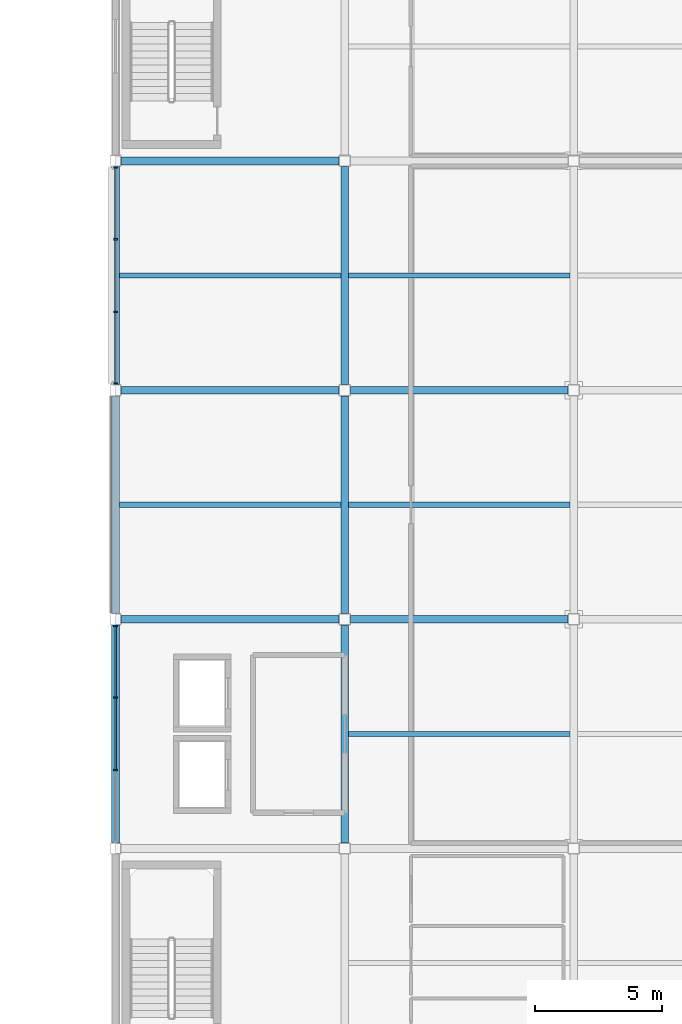
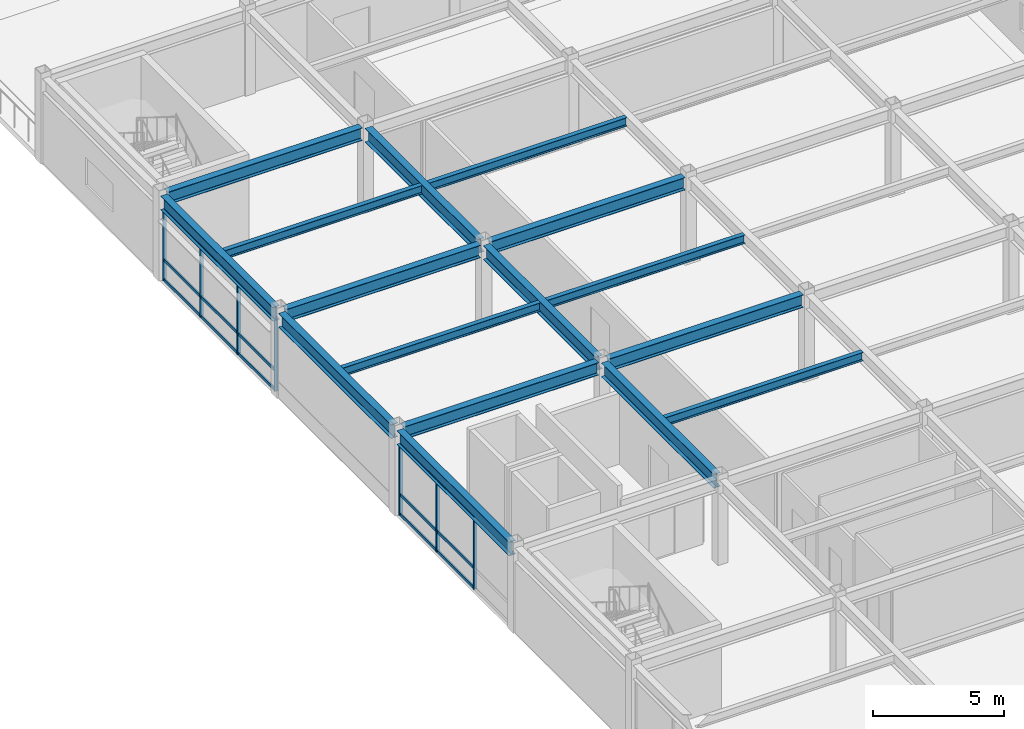
# One storey, part 58 of 108: 22 members, 16 beams, 2 elements without a shape of their own.
"""IFC4 building model written with IfcOpenShell, lengths in metres."""

from ifc_helpers import new_model, si_unit, direction, frame, origin, origin_2d, place, context, subcontext, project, spatial, rectangle, i_section, extrude, material, material_profile, profile_set, type_object, element, aggregate, save


model = new_model("IFC4")

# Units and contexts
model_context = context("Model", 3, precision=1e-05, world=origin(), true_north=direction((0.0, 1.0)))
body_context = subcontext(model_context, "Body", "Model", "MODEL_VIEW")
ifc_project = project(units=[si_unit("LENGTHUNIT", "METRE"), si_unit("AREAUNIT", "SQUARE_METRE"), si_unit("VOLUMEUNIT", "CUBIC_METRE"), si_unit("PLANEANGLEUNIT", "RADIAN"), si_unit("MASSUNIT", "GRAM", prefix="KILO")], contexts=[model_context])

# Site, building, storey
site_placement = place(None, origin())
site = spatial("IfcSite", under=ifc_project, at=site_placement, CompositionType="ELEMENT")
building_placement = place(site_placement, origin())
building = spatial("IfcBuilding", under=site, at=building_placement, Name="Suzunagisa Mobility Hub", CompositionType="ELEMENT")
storey_placement = place(building_placement, frame((0.0, 0.0, 9.300048828125)))
storey = spatial("IfcBuildingStorey", under=building, at=storey_placement, Name="L02", CompositionType="ELEMENT", Elevation=9.300048828125)

# Curtain wall, members
ifc_material_1 = material(Name="Thermally Broken Anodized Aluminum and Low-E Glazing", Category="aluminium")
curtain_wall_type = type_object("IfcCurtainWallType", Name="Unitised Curtain Wall CW-43 8500x3300", PredefinedType="USERDEFINED", material=ifc_material_1)
curtain_wall_1_placement = place(storey_placement, origin())
curtain_wall_1 = element("IfcCurtainWall", 1, at=curtain_wall_1_placement, inside=storey, type_object=curtain_wall_type, Name="L02 Unitised Curtain Wall CW-201", ObjectType="UNITISED CURTAIN WALL", PredefinedType="USERDEFINED")
ifc_material_2 = material(Name="Anodized Aluminum 6063-T6", Category="aluminium")
ifc_material_profile_1 = material_profile(ifc_material_2, rectangle(XDim=0.06494140625, YDim=0.139892578125, at=origin_2d()), Name="TRAN-65x140")
ifc_profile_set_1 = profile_set([ifc_material_profile_1], Name="Anodized Aluminum 6063-T6")
member_type_1 = type_object("IfcMemberType", Name="Curtain Wall Framing CM-01 TRAN-65x140", PredefinedType="USERDEFINED", material=ifc_profile_set_1)
member_1_placement = place(storey_placement, frame((144.0, 88.717041015625, 0.032470703125), z_axis=(0.0, -1.0, 0.0), x_axis=(1.0, 0.0, 0.0)))
member_1 = element("IfcMember", 2, at=member_1_placement, type_object=member_type_1, Name="Curtain Wall Transom 201-T1.1", ObjectType="TRANSOM", PredefinedType="USERDEFINED", context=body_context, shape_type="SweptSolid", body=[
    extrude(rectangle(XDim=0.06494140625, YDim=0.139892578125, at=origin_2d()), origin(), (0.0, 0.0, 1.0), 2.76416015625),
])
member_2_placement = place(storey_placement, frame((144.0, 88.717041015625, 0.949951171875), z_axis=(0.0, -1.0, 0.0), x_axis=(1.0, 0.0, 0.0)))
member_2 = element("IfcMember", 3, at=member_2_placement, type_object=member_type_1, Name="Curtain Wall Transom 201-T1.2", ObjectType="TRANSOM", PredefinedType="USERDEFINED", context=body_context, shape_type="SweptSolid", body=[
    extrude(rectangle(XDim=0.06494140625, YDim=0.139892578125, at=origin_2d()), origin(), (0.0, 0.0, 1.0), 2.76416015625),
])
member_3_placement = place(storey_placement, frame((144.0, 88.717041015625, 3.267333984375), z_axis=(0.0, -1.0, 0.0), x_axis=(1.0, 0.0, 0.0)))
member_3 = element("IfcMember", 4, at=member_3_placement, type_object=member_type_1, Name="Curtain Wall Transom 201-T1.3", ObjectType="TRANSOM", PredefinedType="USERDEFINED", context=body_context, shape_type="SweptSolid", body=[
    extrude(rectangle(XDim=0.06494140625, YDim=0.139892578125, at=origin_2d()), origin(), (0.0, 0.0, 1.0), 2.76416015625),
])
member_4_placement = place(storey_placement, frame((144.0, 85.89697265625, 0.032470703125), z_axis=(0.0, -1.0, 0.0), x_axis=(1.0, 0.0, 0.0)))
member_4 = element("IfcMember", 5, at=member_4_placement, type_object=member_type_1, Name="Curtain Wall Transom 201-T2.1", ObjectType="TRANSOM", PredefinedType="USERDEFINED", context=body_context, shape_type="SweptSolid", body=[
    extrude(rectangle(XDim=0.06494140625, YDim=0.139892578125, at=origin_2d()), origin(), (0.0, 0.0, 1.0), 2.7939453125),
])
member_5_placement = place(storey_placement, frame((144.0, 85.89697265625, 0.949951171875), z_axis=(0.0, -1.0, 0.0), x_axis=(1.0, 0.0, 0.0)))
member_5 = element("IfcMember", 6, at=member_5_placement, type_object=member_type_1, Name="Curtain Wall Transom 201-T2.2", ObjectType="TRANSOM", PredefinedType="USERDEFINED", context=body_context, shape_type="SweptSolid", body=[
    extrude(rectangle(XDim=0.06494140625, YDim=0.139892578125, at=origin_2d()), origin(), (0.0, 0.0, 1.0), 2.7939453125),
])
member_6_placement = place(storey_placement, frame((144.0, 85.89697265625, 3.267333984375), z_axis=(0.0, -1.0, 0.0), x_axis=(1.0, 0.0, 0.0)))
member_6 = element("IfcMember", 7, at=member_6_placement, type_object=member_type_1, Name="Curtain Wall Transom 201-T2.3", ObjectType="TRANSOM", PredefinedType="USERDEFINED", context=body_context, shape_type="SweptSolid", body=[
    extrude(rectangle(XDim=0.06494140625, YDim=0.139892578125, at=origin_2d()), origin(), (0.0, 0.0, 1.0), 2.7939453125),
])
member_7_placement = place(storey_placement, frame((144.0, 83.047119140625, 0.032470703125), z_axis=(0.0, -1.0, 0.0), x_axis=(1.0, 0.0, 0.0)))
member_7 = element("IfcMember", 8, at=member_7_placement, type_object=member_type_1, Name="Curtain Wall Transom 201-T3.1", ObjectType="TRANSOM", PredefinedType="USERDEFINED", context=body_context, shape_type="SweptSolid", body=[
    extrude(rectangle(XDim=0.06494140625, YDim=0.139892578125, at=origin_2d()), origin(), (0.0, 0.0, 1.0), 2.76416015625),
])
member_8_placement = place(storey_placement, frame((144.0, 83.047119140625, 0.949951171875), z_axis=(0.0, -1.0, 0.0), x_axis=(1.0, 0.0, 0.0)))
member_8 = element("IfcMember", 9, at=member_8_placement, type_object=member_type_1, Name="Curtain Wall Transom 201-T3.2", ObjectType="TRANSOM", PredefinedType="USERDEFINED", context=body_context, shape_type="SweptSolid", body=[
    extrude(rectangle(XDim=0.06494140625, YDim=0.139892578125, at=origin_2d()), origin(), (0.0, 0.0, 1.0), 2.76416015625),
])
member_9_placement = place(storey_placement, frame((144.0, 83.047119140625, 3.267333984375), z_axis=(0.0, -1.0, 0.0), x_axis=(1.0, 0.0, 0.0)))
member_9 = element("IfcMember", 10, at=member_9_placement, type_object=member_type_1, Name="Curtain Wall Transom 201-T3.3", ObjectType="TRANSOM", PredefinedType="USERDEFINED", context=body_context, shape_type="SweptSolid", body=[
    extrude(rectangle(XDim=0.06494140625, YDim=0.139892578125, at=origin_2d()), origin(), (0.0, 0.0, 1.0), 2.76416015625),
])

curtain_wall_2_placement = place(storey_placement, origin())
curtain_wall_2 = element("IfcCurtainWall", 11, at=curtain_wall_2_placement, inside=storey, type_object=curtain_wall_type, Name="L02 Unitised Curtain Wall CW-202", ObjectType="UNITISED CURTAIN WALL", PredefinedType="USERDEFINED")
member_10_placement = place(storey_placement, frame((144.0, 70.717041015625, 0.032470703125), z_axis=(0.0, -1.0, 0.0), x_axis=(1.0, 0.0, 0.0)))
member_10 = element("IfcMember", 12, at=member_10_placement, type_object=member_type_1, Name="Curtain Wall Transom 202-T1.1", ObjectType="TRANSOM", PredefinedType="USERDEFINED", context=body_context, shape_type="SweptSolid", body=[
    extrude(rectangle(XDim=0.06494140625, YDim=0.139892578125, at=origin_2d()), origin(), (0.0, 0.0, 1.0), 2.76416015625),
])
member_11_placement = place(storey_placement, frame((144.0, 70.717041015625, 0.949951171875), z_axis=(0.0, -1.0, 0.0), x_axis=(1.0, 0.0, 0.0)))
member_11 = element("IfcMember", 13, at=member_11_placement, type_object=member_type_1, Name="Curtain Wall Transom 202-T1.2", ObjectType="TRANSOM", PredefinedType="USERDEFINED", context=body_context, shape_type="SweptSolid", body=[
    extrude(rectangle(XDim=0.06494140625, YDim=0.139892578125, at=origin_2d()), origin(), (0.0, 0.0, 1.0), 2.76416015625),
])
member_12_placement = place(storey_placement, frame((144.0, 70.717041015625, 3.267333984375), z_axis=(0.0, -1.0, 0.0), x_axis=(1.0, 0.0, 0.0)))
member_12 = element("IfcMember", 14, at=member_12_placement, type_object=member_type_1, Name="Curtain Wall Transom 202-T1.3", ObjectType="TRANSOM", PredefinedType="USERDEFINED", context=body_context, shape_type="SweptSolid", body=[
    extrude(rectangle(XDim=0.06494140625, YDim=0.139892578125, at=origin_2d()), origin(), (0.0, 0.0, 1.0), 2.76416015625),
])
member_13_placement = place(storey_placement, frame((144.0, 67.89697265625, 0.032470703125), z_axis=(0.0, -1.0, 0.0), x_axis=(1.0, 0.0, 0.0)))
member_13 = element("IfcMember", 15, at=member_13_placement, type_object=member_type_1, Name="Curtain Wall Transom 202-T2.1", ObjectType="TRANSOM", PredefinedType="USERDEFINED", context=body_context, shape_type="SweptSolid", body=[
    extrude(rectangle(XDim=0.06494140625, YDim=0.139892578125, at=origin_2d()), origin(), (0.0, 0.0, 1.0), 2.7939453125),
])
member_14_placement = place(storey_placement, frame((144.0, 67.89697265625, 0.949951171875), z_axis=(0.0, -1.0, 0.0), x_axis=(1.0, 0.0, 0.0)))
member_14 = element("IfcMember", 16, at=member_14_placement, type_object=member_type_1, Name="Curtain Wall Transom 202-T2.2", ObjectType="TRANSOM", PredefinedType="USERDEFINED", context=body_context, shape_type="SweptSolid", body=[
    extrude(rectangle(XDim=0.06494140625, YDim=0.139892578125, at=origin_2d()), origin(), (0.0, 0.0, 1.0), 2.7939453125),
])
member_15_placement = place(storey_placement, frame((144.0, 67.89697265625, 3.267333984375), z_axis=(0.0, -1.0, 0.0), x_axis=(1.0, 0.0, 0.0)))
member_15 = element("IfcMember", 17, at=member_15_placement, type_object=member_type_1, Name="Curtain Wall Transom 202-T2.3", ObjectType="TRANSOM", PredefinedType="USERDEFINED", context=body_context, shape_type="SweptSolid", body=[
    extrude(rectangle(XDim=0.06494140625, YDim=0.139892578125, at=origin_2d()), origin(), (0.0, 0.0, 1.0), 2.7939453125),
])

# Member
ifc_material_profile_2 = material_profile(ifc_material_2, rectangle(XDim=0.06005859375, YDim=0.14990234375, at=origin_2d()), Name="MULL-60x150")
ifc_profile_set_2 = profile_set([ifc_material_profile_2], Name="Anodized Aluminum 6063-T6")
member_type_2 = type_object("IfcMemberType", Name="Curtain Wall Framing CM-03 MULL-60x150", PredefinedType="MULLION", material=ifc_profile_set_2)
member_16_placement = place(storey_placement, frame((144.0, 88.7451171875, 0.0), z_axis=(0.0, 0.0, 1.0), x_axis=(0.0, -1.0, 0.0)))
member_16 = element("IfcMember", 18, at=member_16_placement, type_object=member_type_2, Name="Curtain Wall Mullion 201-M1", PredefinedType="MULLION", context=body_context, shape_type="SweptSolid", body=[
    extrude(rectangle(XDim=0.06005859375, YDim=0.14990234375, at=origin_2d()), origin(), (0.0, 0.0, 1.0), 3.300048828125),
])

member_17_placement = place(storey_placement, frame((144.0, 85.925048828125, 0.0), z_axis=(0.0, 0.0, 1.0), x_axis=(0.0, -1.0, 0.0)))
member_17 = element("IfcMember", 19, at=member_17_placement, type_object=member_type_2, Name="Curtain Wall Mullion 201-M2", PredefinedType="MULLION", context=body_context, shape_type="SweptSolid", body=[
    extrude(rectangle(XDim=0.06005859375, YDim=0.14990234375, at=origin_2d()), origin(), (0.0, 0.0, 1.0), 3.300048828125),
])

member_18_placement = place(storey_placement, frame((144.0, 83.074951171875, 0.0), z_axis=(0.0, 0.0, 1.0), x_axis=(0.0, -1.0, 0.0)))
member_18 = element("IfcMember", 20, at=member_18_placement, type_object=member_type_2, Name="Curtain Wall Mullion 201-M3", PredefinedType="MULLION", context=body_context, shape_type="SweptSolid", body=[
    extrude(rectangle(XDim=0.06005859375, YDim=0.14990234375, at=origin_2d()), origin(), (0.0, 0.0, 1.0), 3.300048828125),
])

member_19_placement = place(storey_placement, frame((144.0, 80.2548828125, 0.0), z_axis=(0.0, 0.0, 1.0), x_axis=(0.0, -1.0, 0.0)))
member_19 = element("IfcMember", 21, at=member_19_placement, type_object=member_type_2, Name="Curtain Wall Mullion 201-M4", PredefinedType="MULLION", context=body_context, shape_type="SweptSolid", body=[
    extrude(rectangle(XDim=0.06005859375, YDim=0.14990234375, at=origin_2d()), origin(), (0.0, 0.0, 1.0), 3.300048828125),
])

aggregate(curtain_wall_1, [member_16, member_17, member_18, member_19, member_1, member_2, member_3, member_4, member_5, member_6, member_7, member_8, member_9])

member_20_placement = place(storey_placement, frame((144.0, 70.7451171875, 0.0), z_axis=(0.0, 0.0, 1.0), x_axis=(0.0, -1.0, 0.0)))
member_20 = element("IfcMember", 22, at=member_20_placement, type_object=member_type_2, Name="Curtain Wall Mullion 202-M1", PredefinedType="MULLION", context=body_context, shape_type="SweptSolid", body=[
    extrude(rectangle(XDim=0.06005859375, YDim=0.14990234375, at=origin_2d()), origin(), (0.0, 0.0, 1.0), 3.300048828125),
])

member_21_placement = place(storey_placement, frame((144.0, 67.925048828125, 0.0), z_axis=(0.0, 0.0, 1.0), x_axis=(0.0, -1.0, 0.0)))
member_21 = element("IfcMember", 23, at=member_21_placement, type_object=member_type_2, Name="Curtain Wall Mullion 202-M2", PredefinedType="MULLION", context=body_context, shape_type="SweptSolid", body=[
    extrude(rectangle(XDim=0.06005859375, YDim=0.14990234375, at=origin_2d()), origin(), (0.0, 0.0, 1.0), 3.300048828125),
])

member_22_placement = place(storey_placement, frame((144.0, 65.074951171875, 0.0), z_axis=(0.0, 0.0, 1.0), x_axis=(0.0, -1.0, 0.0)))
member_22 = element("IfcMember", 24, at=member_22_placement, type_object=member_type_2, Name="Curtain Wall Mullion 202-M3", PredefinedType="MULLION", context=body_context, shape_type="SweptSolid", body=[
    extrude(rectangle(XDim=0.06005859375, YDim=0.14990234375, at=origin_2d()), origin(), (0.0, 0.0, 1.0), 3.300048828125),
])

aggregate(curtain_wall_2, [member_20, member_21, member_22, member_10, member_11, member_12, member_13, member_14, member_15])

# Beams
ifc_material_3 = material(Name="Steel SN490B", Category="steel")
ifc_material_profile_3 = material_profile(ifc_material_3, i_section(OverallWidth=0.300048828125, OverallDepth=0.64990234375, WebThickness=0.012939453125, FlangeThickness=0.02197265625, FilletRadius=0.01611328125, at=origin_2d()), Name="H-650x300x13x22")
ifc_profile_set_3 = profile_set([ifc_material_profile_3], Name="Steel SN490B")
beam_type_1 = type_object("IfcBeamType", Name="Steel Beam BM-10 H-650x300x13x22", PredefinedType="BEAM", material=ifc_profile_set_3)
for number, where, z_axis, x_axis, name in (
    (25, (144.0, 62.220947265625, 3.625), (0.0, 1.0, 0.0), (-1.0, 0.0, 0.0), "L02 Primary Girder GY-1914"),
    (26, (144.0, 71.220947265625, 3.625), (0.0, 1.0, 0.0), (-1.0, 0.0, 0.0), "L02 Primary Girder GY-1915"),
    (27, (144.0, 80.220947265625, 3.625), (0.0, 1.0, 0.0), (-1.0, 0.0, 0.0), "L02 Primary Girder GY-1916"),
    (28, (153.0, 62.220947265625, 3.625), (0.0, 1.0, 0.0), (-1.0, 0.0, 0.0), "L02 Primary Girder GY-1920"),
    (29, (153.0, 71.220947265625, 3.625), (0.0, 1.0, 0.0), (-1.0, 0.0, 0.0), "L02 Primary Girder GY-1921"),
    (30, (153.0, 80.220947265625, 3.625), (0.0, 1.0, 0.0), (-1.0, 0.0, 0.0), "L02 Primary Girder GY-1922"),
):
    element("IfcBeam", number, at=place(storey_placement, frame(where, z_axis=z_axis, x_axis=x_axis)), inside=storey, type_object=beam_type_1, Name=name, PredefinedType="BEAM", context=body_context, shape_type="SweptSolid", body=[
        extrude(i_section(OverallWidth=0.300048828125, OverallDepth=0.64990234375, WebThickness=0.012939453125, FlangeThickness=0.02197265625, FilletRadius=0.01611328125, at=origin_2d()), origin(), (0.0, 0.0, 1.0), 8.55810546875),
    ])
ifc_material_4 = material(Name="Steel SN400B", Category="steel")
ifc_material_profile_4 = material_profile(ifc_material_4, i_section(OverallWidth=0.199951171875, OverallDepth=0.39990234375, WebThickness=0.008056640625, FlangeThickness=0.012939453125, FilletRadius=0.012939453125, at=origin_2d()), Name="H-400x200x8x13")
ifc_profile_set_4 = profile_set([ifc_material_profile_4], Name="Steel SN400B")
beam_type_2 = type_object("IfcBeamType", Name="Steel Beam BM-14 H-400x200x8x13", PredefinedType="JOIST", material=ifc_profile_set_4)
for number, where, z_axis, x_axis, name in (
    (31, (144.14990234375, 75.5, 3.75), (1.0, 0.0, 0.0), (0.0, 1.0, 0.0), "L02 Composite Floor Joist J-1943"),
    (32, (144.14990234375, 84.5, 3.75), (1.0, 0.0, 0.0), (0.0, 1.0, 0.0), "L02 Composite Floor Joist J-1944"),
    (33, (153.14990234375, 66.5, 3.75), (1.0, 0.0, 0.0), (0.0, 1.0, 0.0), "L02 Composite Floor Joist J-1947"),
    (34, (153.14990234375, 75.5, 3.75), (1.0, 0.0, 0.0), (0.0, 1.0, 0.0), "L02 Composite Floor Joist J-1948"),
    (35, (153.14990234375, 84.5, 3.75), (1.0, 0.0, 0.0), (0.0, 1.0, 0.0), "L02 Composite Floor Joist J-1949"),
):
    element("IfcBeam", number, at=place(storey_placement, frame(where, z_axis=z_axis, x_axis=x_axis)), inside=storey, type_object=beam_type_2, Name=name, PredefinedType="JOIST", context=body_context, shape_type="SweptSolid", body=[
        extrude(i_section(OverallWidth=0.199951171875, OverallDepth=0.39990234375, WebThickness=0.008056640625, FlangeThickness=0.012939453125, FilletRadius=0.012939453125, at=origin_2d()), origin(), (0.0, 0.0, 1.0), 8.7001953125),
    ])
ifc_material_profile_5 = material_profile(ifc_material_3, i_section(OverallWidth=0.300048828125, OverallDepth=0.587890625, WebThickness=0.011962890625, FlangeThickness=0.02001953125, FilletRadius=0.012939453125, at=origin_2d()), Name="H-588x300x12x20")
ifc_profile_set_5 = profile_set([ifc_material_profile_5], Name="Steel SN490B")
beam_type_3 = type_object("IfcBeamType", Name="Steel Beam BM-16 H-588x300x12x20", PredefinedType="BEAM", material=ifc_profile_set_5)
for number, where, z_axis, x_axis, name in (
    (36, (144.220947265625, 71.0, 3.656005859375), (1.0, 0.0, 0.0), (0.0, 1.0, 0.0), "L02 Primary Girder GX-1896"),
    (37, (153.220947265625, 71.0, 3.656005859375), (1.0, 0.0, 0.0), (0.0, 1.0, 0.0), "L02 Primary Girder GX-1897"),
    (38, (144.220947265625, 80.0, 3.656005859375), (1.0, 0.0, 0.0), (0.0, 1.0, 0.0), "L02 Primary Girder GX-1900"),
    (39, (153.220947265625, 80.0, 3.656005859375), (1.0, 0.0, 0.0), (0.0, 1.0, 0.0), "L02 Primary Girder GX-1901"),
    (40, (144.220947265625, 89.0, 3.656005859375), (1.0, 0.0, 0.0), (0.0, 1.0, 0.0), "L02 Primary Girder GX-1904"),
):
    element("IfcBeam", number, at=place(storey_placement, frame(where, z_axis=z_axis, x_axis=x_axis)), inside=storey, type_object=beam_type_3, Name=name, PredefinedType="BEAM", context=body_context, shape_type="SweptSolid", body=[
        extrude(i_section(OverallWidth=0.300048828125, OverallDepth=0.587890625, WebThickness=0.011962890625, FlangeThickness=0.02001953125, FilletRadius=0.012939453125, at=origin_2d()), origin(), (0.0, 0.0, 1.0), 8.55810546875),
    ])

save(model, "model.ifc")
